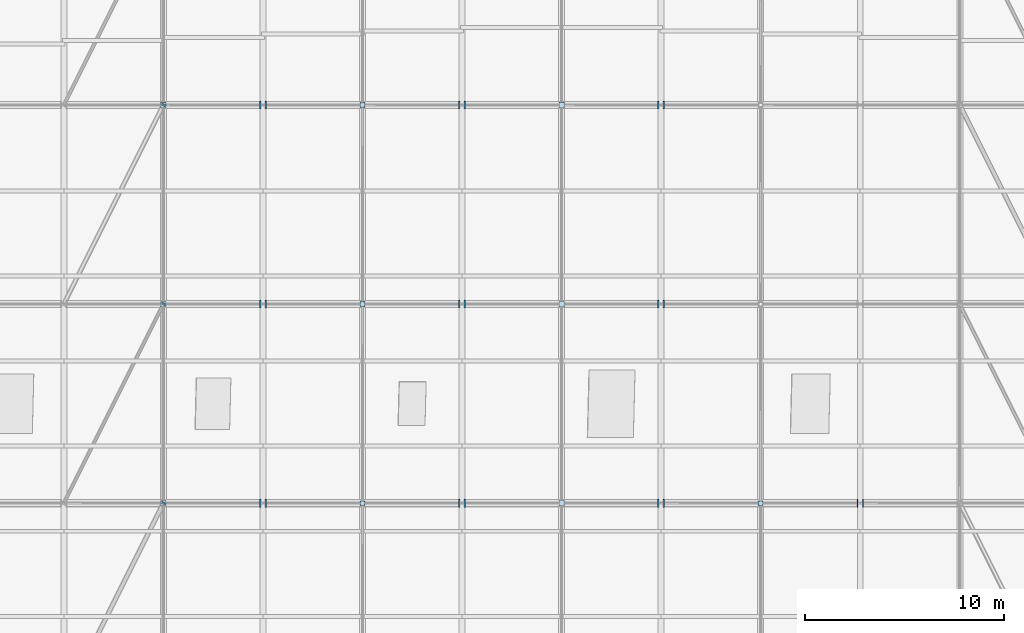
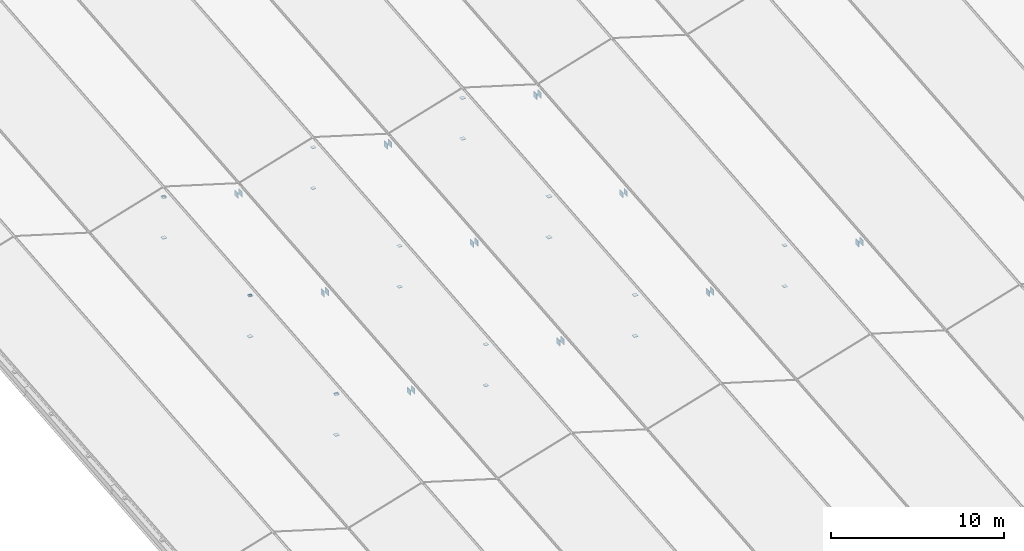
# One storey, part 82 of 90: 43 plates.
"""IFC4 building model written with IfcOpenShell, lengths in metres."""

from ifc_helpers import new_model, si_unit, direction, frame, origin, origin_2d, place, context, subcontext, project, spatial, rectangle, extrude, material, layer, layer_set, type_object, element, save


model = new_model("IFC4")

# Units and contexts
model_context = context("Model", 3, precision=1e-05, world=origin(), true_north=direction((0.0, 1.0)))
body_context = subcontext(model_context, "Body", "Model", "MODEL_VIEW")
ifc_project = project(units=[si_unit("LENGTHUNIT", "METRE"), si_unit("AREAUNIT", "SQUARE_METRE"), si_unit("VOLUMEUNIT", "CUBIC_METRE"), si_unit("PLANEANGLEUNIT", "RADIAN"), si_unit("MASSUNIT", "GRAM", prefix="KILO"), si_unit("THERMODYNAMICTEMPERATUREUNIT", "KELVIN"), si_unit("POWERUNIT", "WATT")], contexts=[model_context])

# Site, building, storey
site_placement = place(None, origin())
site = spatial("IfcSite", under=ifc_project, at=site_placement, CompositionType="ELEMENT")
building_placement = place(site_placement, origin())
building = spatial("IfcBuilding", under=site, at=building_placement, Name="Korenveer Ferry Terminal", CompositionType="ELEMENT")
storey_placement = place(building_placement, frame((0.0, 0.0, 22.199951171875)))
storey = spatial("IfcBuildingStorey", under=building, at=storey_placement, Name="RF", CompositionType="ELEMENT", Elevation=22.199951171875)

# Plates
ifc_material = material(Name="Steel S355", Category="steel")
ifc_layer_1 = layer(ifc_material, 0.031982421875)
ifc_layer_set_1 = layer_set([ifc_layer_1], Name="Steel S355")
plate_type_1 = type_object("IfcPlateType", Name="STR-PLT-CAP32", PredefinedType="USERDEFINED", material=ifc_layer_set_1)
for number, where, z_axis, x_axis, name in (
    (1, (68.0, 60.0, -9.15185546875), (0.0, 0.0, 1.0), (1.0, 0.0, 0.0), "Hollow section end cap 334"),
    (2, (68.0, 60.0, -6.259765625), (0.0, 0.0, 1.0), (1.0, 0.0, 0.0), "Hollow section end cap 335"),
):
    element("IfcPlate", number, at=place(storey_placement, frame(where, z_axis=z_axis, x_axis=x_axis)), inside=storey, type_object=plate_type_1, Name=name, ObjectType="END CAP PLATE", PredefinedType="USERDEFINED", context=body_context, shape_type="SweptSolid", body=[
        extrude(rectangle(XDim=0.280029296875, YDim=0.280029296875, at=origin_2d()), origin(), (0.0, 0.0, 1.0), 0.031982421875),
    ])
for number, where, z_axis, x_axis, name in (
    (3, (78.0, 60.0, -9.15185546875), (0.0, 0.0, 1.0), (1.0, 0.0, 0.0), "Hollow section end cap 338"),
    (4, (78.0, 60.0, -6.259765625), (0.0, 0.0, 1.0), (1.0, 0.0, 0.0), "Hollow section end cap 339"),
):
    element("IfcPlate", number, at=place(storey_placement, frame(where, z_axis=z_axis, x_axis=x_axis)), inside=storey, type_object=plate_type_1, Name=name, ObjectType="END CAP PLATE", PredefinedType="USERDEFINED", context=body_context, shape_type="SweptSolid", body=[
        extrude(rectangle(XDim=0.2490234375, YDim=0.2490234375, at=origin_2d()), origin(), (0.0, 0.0, 1.0), 0.031982421875),
    ])
for number, where, z_axis, x_axis, name in (
    (5, (88.0, 60.0, -9.15185546875), (0.0, 0.0, 1.0), (1.0, 0.0, 0.0), "Hollow section end cap 342"),
    (6, (88.0, 60.0, -6.259765625), (0.0, 0.0, 1.0), (1.0, 0.0, 0.0), "Hollow section end cap 343"),
):
    element("IfcPlate", number, at=place(storey_placement, frame(where, z_axis=z_axis, x_axis=x_axis)), inside=storey, type_object=plate_type_1, Name=name, ObjectType="END CAP PLATE", PredefinedType="USERDEFINED", context=body_context, shape_type="SweptSolid", body=[
        extrude(rectangle(XDim=0.280029296875, YDim=0.280029296875, at=origin_2d()), origin(), (0.0, 0.0, 1.0), 0.031982421875),
    ])
for number, where, z_axis, x_axis, name in (
    (7, (98.0, 60.0, -9.15185546875), (0.0, 0.0, 1.0), (1.0, 0.0, 0.0), "Hollow section end cap 346"),
    (8, (98.0, 60.0, -6.259765625), (0.0, 0.0, 1.0), (1.0, 0.0, 0.0), "Hollow section end cap 347"),
):
    element("IfcPlate", number, at=place(storey_placement, frame(where, z_axis=z_axis, x_axis=x_axis)), inside=storey, type_object=plate_type_1, Name=name, ObjectType="END CAP PLATE", PredefinedType="USERDEFINED", context=body_context, shape_type="SweptSolid", body=[
        extrude(rectangle(XDim=0.2490234375, YDim=0.2490234375, at=origin_2d()), origin(), (0.0, 0.0, 1.0), 0.031982421875),
    ])
for number, where, z_axis, x_axis, name in (
    (9, (68.0, 70.0, -8.24365234375), (0.0, 0.0, 1.0), (1.0, 0.0, 0.0), "Hollow section end cap 362"),
    (10, (68.0, 70.0, -5.35205078125), (0.0, 0.0, 1.0), (1.0, 0.0, 0.0), "Hollow section end cap 363"),
):
    element("IfcPlate", number, at=place(storey_placement, frame(where, z_axis=z_axis, x_axis=x_axis)), inside=storey, type_object=plate_type_1, Name=name, ObjectType="END CAP PLATE", PredefinedType="USERDEFINED", context=body_context, shape_type="SweptSolid", body=[
        extrude(rectangle(XDim=0.280029296875, YDim=0.280029296875, at=origin_2d()), origin(), (0.0, 0.0, 1.0), 0.031982421875),
    ])
for number, where, z_axis, x_axis, name in (
    (11, (78.0, 70.0, -8.24365234375), (0.0, 0.0, 1.0), (1.0, 0.0, 0.0), "Hollow section end cap 366"),
    (12, (78.0, 70.0, -5.35205078125), (0.0, 0.0, 1.0), (1.0, 0.0, 0.0), "Hollow section end cap 367"),
):
    element("IfcPlate", number, at=place(storey_placement, frame(where, z_axis=z_axis, x_axis=x_axis)), inside=storey, type_object=plate_type_1, Name=name, ObjectType="END CAP PLATE", PredefinedType="USERDEFINED", context=body_context, shape_type="SweptSolid", body=[
        extrude(rectangle(XDim=0.2490234375, YDim=0.2490234375, at=origin_2d()), origin(), (0.0, 0.0, 1.0), 0.031982421875),
    ])
for number, where, z_axis, x_axis, name in (
    (13, (88.0, 70.0, -8.24365234375), (0.0, 0.0, 1.0), (1.0, 0.0, 0.0), "Hollow section end cap 370"),
    (14, (88.0, 70.0, -5.35205078125), (0.0, 0.0, 1.0), (1.0, 0.0, 0.0), "Hollow section end cap 371"),
    (15, (68.0, 80.0, -7.33544921875), (0.0, 0.0, 1.0), (1.0, 0.0, 0.0), "Hollow section end cap 390"),
    (16, (68.0, 80.0, -4.44384765625), (0.0, 0.0, 1.0), (1.0, 0.0, 0.0), "Hollow section end cap 391"),
):
    element("IfcPlate", number, at=place(storey_placement, frame(where, z_axis=z_axis, x_axis=x_axis)), inside=storey, type_object=plate_type_1, Name=name, ObjectType="END CAP PLATE", PredefinedType="USERDEFINED", context=body_context, shape_type="SweptSolid", body=[
        extrude(rectangle(XDim=0.280029296875, YDim=0.280029296875, at=origin_2d()), origin(), (0.0, 0.0, 1.0), 0.031982421875),
    ])
for number, where, z_axis, x_axis, name in (
    (17, (78.0, 80.0, -7.33544921875), (0.0, 0.0, 1.0), (1.0, 0.0, 0.0), "Hollow section end cap 394"),
    (18, (78.0, 80.0, -4.44384765625), (0.0, 0.0, 1.0), (1.0, 0.0, 0.0), "Hollow section end cap 395"),
):
    element("IfcPlate", number, at=place(storey_placement, frame(where, z_axis=z_axis, x_axis=x_axis)), inside=storey, type_object=plate_type_1, Name=name, ObjectType="END CAP PLATE", PredefinedType="USERDEFINED", context=body_context, shape_type="SweptSolid", body=[
        extrude(rectangle(XDim=0.2490234375, YDim=0.2490234375, at=origin_2d()), origin(), (0.0, 0.0, 1.0), 0.031982421875),
    ])
for number, where, z_axis, x_axis, name in (
    (19, (88.0, 80.0, -7.33544921875), (0.0, 0.0, 1.0), (1.0, 0.0, 0.0), "Hollow section end cap 398"),
    (20, (88.0, 80.0, -4.44384765625), (0.0, 0.0, 1.0), (1.0, 0.0, 0.0), "Hollow section end cap 399"),
):
    element("IfcPlate", number, at=place(storey_placement, frame(where, z_axis=z_axis, x_axis=x_axis)), inside=storey, type_object=plate_type_1, Name=name, ObjectType="END CAP PLATE", PredefinedType="USERDEFINED", context=body_context, shape_type="SweptSolid", body=[
        extrude(rectangle(XDim=0.280029296875, YDim=0.280029296875, at=origin_2d()), origin(), (0.0, 0.0, 1.0), 0.031982421875),
    ])
plate_1_placement = place(storey_placement, frame((68.0, 60.0, -6.260009765625), z_axis=(0.437110268059, 0.874220536117, 0.211360043028), x_axis=(-0.894427191, 0.4472135955, 0.0)))
element("IfcPlate", 21, at=plate_1_placement, inside=storey, type_object=plate_type_1, Name="Hollow section end cap 571", ObjectType="END CAP PLATE", PredefinedType="USERDEFINED", context=body_context, shape_type="SweptSolid", body=[
    extrude(rectangle(XDim=0.2490234375, YDim=0.2490234375, at=origin_2d()), origin(), (0.0, 0.0, 1.0), 0.031982421875),
])
plate_2_placement = place(storey_placement, frame((68.0, 70.0, -5.35205078125), z_axis=(0.437110268059, 0.874220536117, 0.211360043028), x_axis=(-0.894427191, 0.4472135955, 0.0)))
element("IfcPlate", 22, at=plate_2_placement, inside=storey, type_object=plate_type_1, Name="Hollow section end cap 573", ObjectType="END CAP PLATE", PredefinedType="USERDEFINED", context=body_context, shape_type="SweptSolid", body=[
    extrude(rectangle(XDim=0.1982421875, YDim=0.1982421875, at=origin_2d()), origin(), (0.0, 0.0, 1.0), 0.031982421875),
])
plate_3_placement = place(storey_placement, frame((68.0, 80.0, -4.444091796875), z_axis=(0.437110268059, 0.874220536117, 0.211360043028), x_axis=(-0.894427191, 0.4472135955, 0.0)))
element("IfcPlate", 23, at=plate_3_placement, inside=storey, type_object=plate_type_1, Name="Hollow section end cap 575", ObjectType="END CAP PLATE", PredefinedType="USERDEFINED", context=body_context, shape_type="SweptSolid", body=[
    extrude(rectangle(XDim=0.2490234375, YDim=0.2490234375, at=origin_2d()), origin(), (0.0, 0.0, 1.0), 0.031982421875),
])
ifc_layer_2 = layer(ifc_material, 0.0419921875)
ifc_layer_set_2 = layer_set([ifc_layer_2], Name="Steel S355")
plate_type_2 = type_object("IfcPlateType", Name="STR-PLT-CAP42", PredefinedType="USERDEFINED", material=ifc_layer_set_2)
for number, where, z_axis, x_axis, name in (
    (24, (72.840087890625, 60.0, -7.76953125), (1.0, 0.0, 0.0), (0.0, 1.0, 0.0), "Hollow section end cap 333"),
    (25, (73.117919921875, 60.0, -7.76953125), (1.0, 0.0, 0.0), (0.0, 1.0, 0.0), "Hollow section end cap 336"),
    (26, (82.840087890625, 60.0, -7.76953125), (1.0, 0.0, 0.0), (0.0, 1.0, 0.0), "Hollow section end cap 337"),
    (27, (83.117919921875, 60.0, -7.76953125), (1.0, 0.0, 0.0), (0.0, 1.0, 0.0), "Hollow section end cap 340"),
    (28, (92.840087890625, 60.0, -7.76953125), (1.0, 0.0, 0.0), (0.0, 1.0, 0.0), "Hollow section end cap 341"),
    (29, (93.117919921875, 60.0, -7.76953125), (1.0, 0.0, 0.0), (0.0, 1.0, 0.0), "Hollow section end cap 344"),
    (30, (102.840087890625, 60.0, -7.76953125), (1.0, 0.0, 0.0), (0.0, 1.0, 0.0), "Hollow section end cap 345"),
    (31, (103.117919921875, 60.0, -7.76953125), (1.0, 0.0, 0.0), (0.0, 1.0, 0.0), "Hollow section end cap 348"),
    (32, (72.840087890625, 70.0, -6.861572265625), (1.0, 0.0, 0.0), (0.0, 1.0, 0.0), "Hollow section end cap 361"),
    (33, (73.117919921875, 70.0, -6.861572265625), (1.0, 0.0, 0.0), (0.0, 1.0, 0.0), "Hollow section end cap 364"),
    (34, (82.840087890625, 70.0, -6.861572265625), (1.0, 0.0, 0.0), (0.0, 1.0, 0.0), "Hollow section end cap 365"),
    (35, (83.117919921875, 70.0, -6.861572265625), (1.0, 0.0, 0.0), (0.0, 1.0, 0.0), "Hollow section end cap 368"),
    (36, (92.840087890625, 70.0, -6.861572265625), (1.0, 0.0, 0.0), (0.0, 1.0, 0.0), "Hollow section end cap 369"),
    (37, (93.117919921875, 70.0, -6.861572265625), (1.0, 0.0, 0.0), (0.0, 1.0, 0.0), "Hollow section end cap 372"),
    (38, (72.840087890625, 80.0, -5.95361328125), (1.0, 0.0, 0.0), (0.0, 1.0, 0.0), "Hollow section end cap 389"),
    (39, (73.117919921875, 80.0, -5.95361328125), (1.0, 0.0, 0.0), (0.0, 1.0, 0.0), "Hollow section end cap 392"),
    (40, (82.840087890625, 80.0, -5.95361328125), (1.0, 0.0, 0.0), (0.0, 1.0, 0.0), "Hollow section end cap 393"),
    (41, (83.117919921875, 80.0, -5.95361328125), (1.0, 0.0, 0.0), (0.0, 1.0, 0.0), "Hollow section end cap 396"),
    (42, (92.840087890625, 80.0, -5.95361328125), (1.0, 0.0, 0.0), (0.0, 1.0, 0.0), "Hollow section end cap 397"),
    (43, (93.117919921875, 80.0, -5.95361328125), (1.0, 0.0, 0.0), (0.0, 1.0, 0.0), "Hollow section end cap 400"),
):
    element("IfcPlate", number, at=place(storey_placement, frame(where, z_axis=z_axis, x_axis=x_axis)), inside=storey, type_object=plate_type_2, Name=name, ObjectType="END CAP PLATE", PredefinedType="USERDEFINED", context=body_context, shape_type="SweptSolid", body=[
        extrude(rectangle(XDim=0.385498046875, YDim=0.385498046875, at=origin_2d()), origin(), (0.0, 0.0, 1.0), 0.0419921875),
    ])

save(model, "model.ifc")
